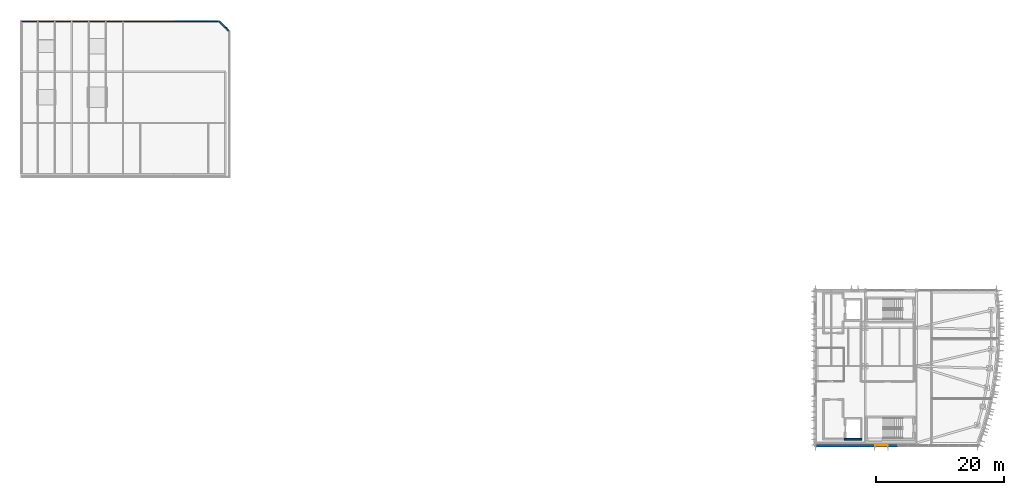
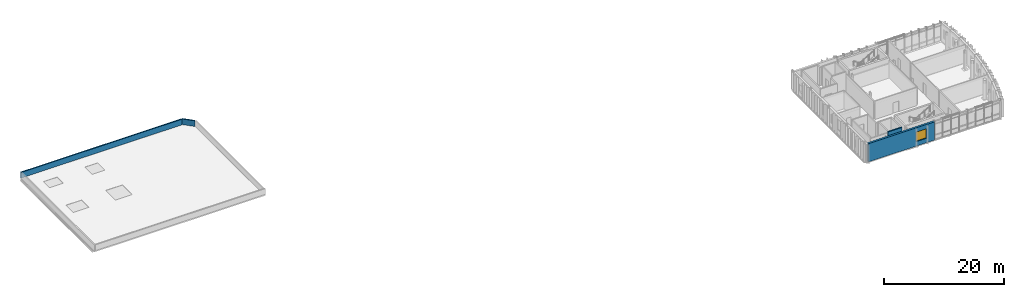
# One storey, part 9 of 14: 4 walls, 1 window, 1 opening.
"""IFC4 building model written with IfcOpenShell, lengths in metres."""

from ifc_helpers import new_model, si_unit, direction, frame, frame_2d, origin, place, context, subcontext, project, spatial, rectangle, extrude, material, layer, layer_set, type_object, element, fill, save


model = new_model("IFC4")

# Units and contexts
model_context = context("Model", 3, precision=1e-05, world=origin(), true_north=direction((0.0, 1.0)))
body_context = subcontext(model_context, "Body", "Model", "MODEL_VIEW")
ifc_project = project(units=[si_unit("LENGTHUNIT", "METRE"), si_unit("AREAUNIT", "SQUARE_METRE"), si_unit("VOLUMEUNIT", "CUBIC_METRE"), si_unit("PLANEANGLEUNIT", "RADIAN"), si_unit("MASSUNIT", "GRAM", prefix="KILO")], contexts=[model_context])

# Site, building, storey
site_placement = place(None, origin())
site = spatial("IfcSite", under=ifc_project, at=site_placement, CompositionType="ELEMENT")
building_placement = place(site_placement, origin())
building = spatial("IfcBuilding", under=site, at=building_placement, Name="Cymarion Research Institute", CompositionType="ELEMENT")
storey_placement = place(building_placement, frame((0.0, 0.0, 34.5)))
storey = spatial("IfcBuildingStorey", under=building, at=storey_placement, Name="L08", CompositionType="ELEMENT", Elevation=34.5)

# Walls
ifc_material_1 = material(Name="Precast concrete C40/50", Category="concrete")
ifc_layer_1 = layer(ifc_material_1, 0.219970703125)
ifc_layer_set_1 = layer_set([ifc_layer_1], Name="Precast concrete C40/50")
wall_type_1 = type_object("IfcWallType", Name="EXTERIOR WALL EW-PAR220 220MM", PredefinedType="PARAPET", material=ifc_layer_set_1)
wall_1_placement = place(storey_placement, frame((47.166748046875, 69.877685546875, 0.0), z_axis=(0.0, 0.0, 1.0), x_axis=(-0.707106781187, 0.707106781187, 0.0)))
element("IfcWall", 1, at=wall_1_placement, inside=storey, type_object=wall_type_1, Name="L08 ROOF-L08-V4 precast roof parapet #13", PredefinedType="PARAPET", context=body_context, shape_type="SweptSolid", body=[
    extrude(rectangle(XDim=2.18408203125, YDim=0.219970703125, at=frame_2d((1.092041015625, 0.0))), origin(), (0.0, 0.0, 1.0), 1.14990234375),
])
wall_2_placement = place(storey_placement, frame((45.47998046875, 71.389892578125, 0.0), z_axis=(0.0, 0.0, 1.0), x_axis=(-1.0, 0.0, 0.0)))
element("IfcWall", 2, at=wall_2_placement, inside=storey, type_object=wall_type_1, Name="L08 ROOF-L08-V4 precast roof parapet #14", PredefinedType="PARAPET", context=body_context, shape_type="SweptSolid", body=[
    extrude(rectangle(XDim=30.8798828125, YDim=0.219970703125, at=frame_2d((15.43994140625, 0.0))), origin(), (0.0, 0.0, 1.0), 1.14990234375),
])

# Wall, opening, window
ifc_layer_2 = layer(ifc_material_1, 0.3798828125)
ifc_layer_set_2 = layer_set([ifc_layer_2], Name="Precast concrete C40/50")
wall_type_2 = type_object("IfcWallType", Name="EXTERIOR WALL EW-PC380 380MM", PredefinedType="SOLIDWALL", material=ifc_layer_set_2)
wall_3_placement = place(storey_placement, frame((138.9619140625, 5.090087890625, 0.0), z_axis=(0.0, 0.0, 1.0), x_axis=(1.0, 0.0, 0.0)))
wall_3 = element("IfcWall", 3, at=wall_3_placement, inside=storey, type_object=wall_type_2, Name="L08 V1 facade pier wall EW-PC380 #297", PredefinedType="SOLIDWALL", context=body_context, shape_type="SweptSolid", body=[
    extrude(rectangle(XDim=12.718994140625, YDim=0.3798828125, at=frame_2d((6.359375, 0.0))), origin(), (0.0, 0.0, 1.0), 3.699951171875),
])
opening_placement = place(wall_3_placement, frame((9.1640625, 0.0, 0.89990234375)))
opening = element("IfcOpeningElement", 4, at=opening_placement, cuts=wall_3, Name="Opening W29", PredefinedType="OPENING", context=body_context, shape_type="SweptSolid", body=[
    extrude(rectangle(XDim=1.949951171875, YDim=1.949951171875, at=frame_2d((0.97509765625, 0.97509765625))), frame((0.0, 0.199951171875, 0.0), z_axis=(0.0, -1.0, 0.0), x_axis=(1.0, 0.0, 0.0)), (0.0, 0.0, 1.0), 0.39990234375),
])
ifc_material_2 = material(Name="Thermally broken aluminium window with Low-E glazing", Category="aluminium")
window_type = type_object("IfcWindowType", Name="THERMALLY BROKEN ALUMINIUM WINDOW W29 1950X1950", PartitioningType="DOUBLE_PANEL_VERTICAL", PredefinedType="WINDOW", material=ifc_material_2)
window_placement = place(opening_placement, origin())
window = element("IfcWindow", 5, at=window_placement, inside=storey, type_object=window_type, Name="L08 V1 facade window W29 #530", OverallHeight=1.949951171875, OverallWidth=1.949951171875, PartitioningType="SINGLE_PANEL", PredefinedType="WINDOW", context=body_context, shape_type="SweptSolid", body=[
    extrude(rectangle(XDim=1.949951171875, YDim=1.949951171875, at=frame_2d((0.97509765625, 0.97509765625))), frame((0.0, 0.030029296875, 0.0), z_axis=(0.0, -1.0, 0.0), x_axis=(1.0, 0.0, 0.0)), (0.0, 0.0, 1.0), 0.06005859375),
])
fill(opening, window)

# Wall
ifc_material_3 = material(Name="Concrete C40/50", Category="concrete")
ifc_layer_3 = layer(ifc_material_3, 0.25)
ifc_layer_set_3 = layer_set([ifc_layer_3], Name="Concrete C40/50")
wall_type_3 = type_object("IfcWallType", Name="REINFORCED CONCRETE CORE WALL CW-SH250 250MM", PredefinedType="SHEAR", material=ifc_layer_set_3)
wall_4_placement = place(storey_placement, frame((143.35009765625, 6.074951171875, 0.0), z_axis=(0.0, 0.0, 1.0), x_axis=(1.0, 0.0, 0.0)))
element("IfcWall", 6, at=wall_4_placement, inside=storey, type_object=wall_type_3, Name="L08 LSH-LF1-L08 south core wall", PredefinedType="SHEAR", context=body_context, shape_type="SweptSolid", body=[
    extrude(rectangle(XDim=2.699951171875, YDim=0.25, at=frame_2d((1.35009765625, 0.0))), origin(), (0.0, 0.0, 1.0), 3.89990234375),
])

save(model, "model.ifc")
